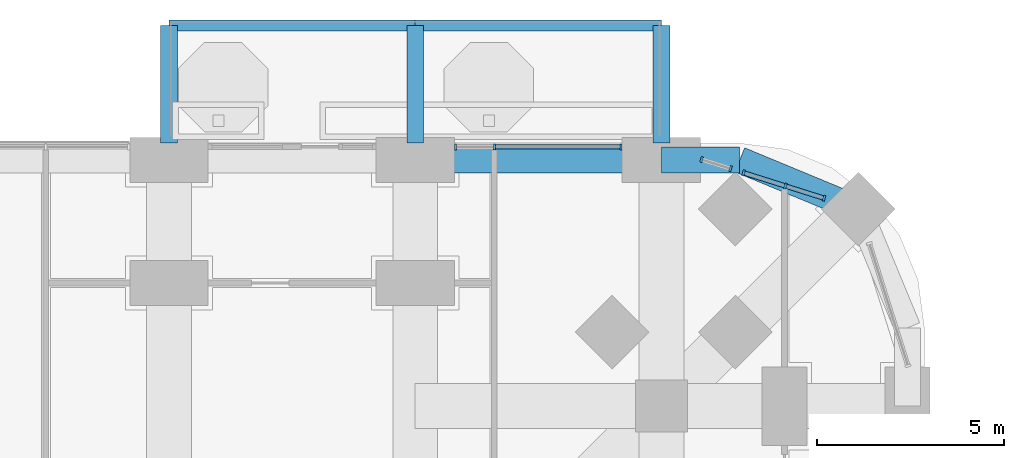
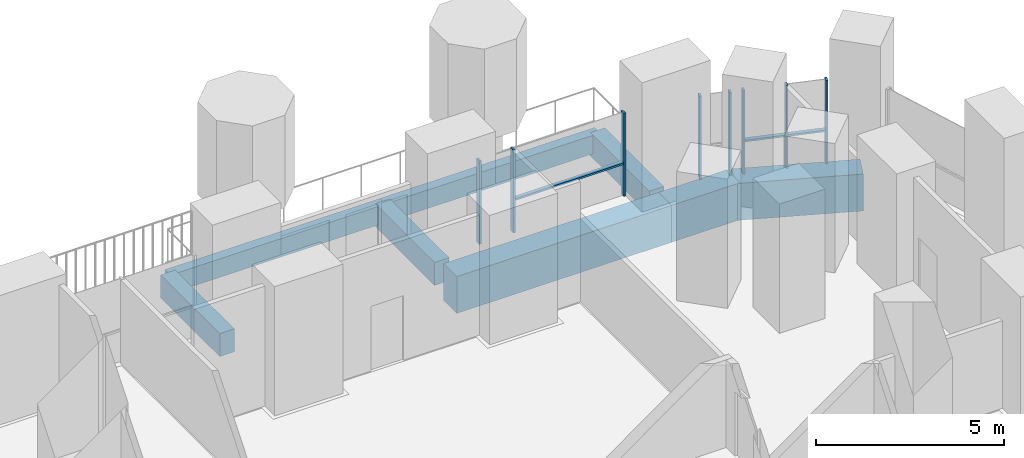
# One storey, part 10 of 27: 11 members, 8 beams, 3 elements without a shape of their own.
"""IFC4 building model written with IfcOpenShell, lengths in metres."""

from ifc_helpers import new_model, si_unit, direction, frame, origin, origin_2d, place, context, subcontext, project, spatial, rectangle, extrude, material, material_profile, profile_set, type_object, element, aggregate, save


model = new_model("IFC4")

# Units and contexts
model_context = context("Model", 3, precision=1e-05, world=origin(), true_north=direction((0.0, 1.0)))
body_context = subcontext(model_context, "Body", "Model", "MODEL_VIEW")
ifc_project = project(units=[si_unit("LENGTHUNIT", "METRE"), si_unit("AREAUNIT", "SQUARE_METRE"), si_unit("VOLUMEUNIT", "CUBIC_METRE"), si_unit("PLANEANGLEUNIT", "RADIAN"), si_unit("MASSUNIT", "GRAM", prefix="KILO")], contexts=[model_context])

# Site, building, storey
site_placement = place(None, origin())
site = spatial("IfcSite", under=ifc_project, at=site_placement, CompositionType="ELEMENT")
building_placement = place(site_placement, origin())
building = spatial("IfcBuilding", under=site, at=building_placement, Name="Cobogo Forest Laboratory Tower", CompositionType="ELEMENT")
storey_placement = place(building_placement, frame((0.0, 0.0, 29.699951171875)))
storey = spatial("IfcBuildingStorey", under=building, at=storey_placement, Name="L06", CompositionType="ELEMENT", Elevation=29.699951171875)

# Beams
ifc_material_1 = material(Name="Concrete HA-40 (C40/50)", Category="concrete")
ifc_material_profile_1 = material_profile(ifc_material_1, rectangle(XDim=0.449951171875, YDim=0.75, at=origin_2d()), Name="RC 450x750")
ifc_profile_set_1 = profile_set([ifc_material_profile_1], Name="Concrete HA-40 (C40/50)")
beam_type_1 = type_object("IfcBeamType", Name="Balcony cantilever beam 450x750", PredefinedType="BEAM", material=ifc_profile_set_1)
for number, where, z_axis, x_axis, name in (
    (1, (33.0, 46.64990234375, -0.625), (0.0, 1.0, 0.0), (-1.0, 0.0, 0.0), "CB1 BAL-N2-C1 L06"),
    (2, (39.60009765625, 46.64990234375, -0.625), (0.0, 1.0, 0.0), (-1.0, 0.0, 0.0), "CB1 BAL-N2-C2 L06"),
    (3, (46.199951171875, 46.64990234375, -0.625), (0.0, 1.0, 0.0), (-1.0, 0.0, 0.0), "CB1 BAL-N2-C3 L06"),
):
    element("IfcBeam", number, at=place(storey_placement, frame(where, z_axis=z_axis, x_axis=x_axis)), inside=storey, type_object=beam_type_1, Name=name, PredefinedType="BEAM", context=body_context, shape_type="SweptSolid", body=[
        extrude(rectangle(XDim=0.449951171875, YDim=0.75, at=origin_2d()), origin(), (0.0, 0.0, 1.0), 3.150146484375),
    ])
ifc_material_profile_2 = material_profile(ifc_material_1, rectangle(XDim=0.300048828125, YDim=0.60009765625, at=origin_2d()), Name="RC 300x600")
ifc_profile_set_2 = profile_set([ifc_material_profile_2], Name="Concrete HA-40 (C40/50)")
beam_type_2 = type_object("IfcBeamType", Name="Balcony edge beam 300x600", PredefinedType="BEAM", material=ifc_profile_set_2)
beam_1_placement = place(storey_placement, frame((33.0, 49.800048828125, -0.550048828125), z_axis=(1.0, 0.0, 0.0), x_axis=(0.0, 1.0, 0.0)))
element("IfcBeam", 4, at=beam_1_placement, inside=storey, type_object=beam_type_2, Name="BB1 BAL-N2-T1 L06", PredefinedType="BEAM", context=body_context, shape_type="SweptSolid", body=[
    extrude(rectangle(XDim=0.300048828125, YDim=0.60009765625, at=origin_2d()), origin(), (0.0, 0.0, 1.0), 6.60009765625),
])
beam_2_placement = place(storey_placement, frame((39.60009765625, 49.800048828125, -0.550048828125), z_axis=(1.0, 0.0, 0.0), x_axis=(0.0, 1.0, 0.0)))
element("IfcBeam", 5, at=beam_2_placement, inside=storey, type_object=beam_type_2, Name="BB1 BAL-N2-T2 L06", PredefinedType="BEAM", context=body_context, shape_type="SweptSolid", body=[
    extrude(rectangle(XDim=0.300048828125, YDim=0.60009765625, at=origin_2d()), origin(), (0.0, 0.0, 1.0), 6.599853515625),
])

# Curtain wall, members
ifc_material_2 = material(Name="Aluminium curtain wall", Category="aluminium")
curtain_wall_type = type_object("IfcCurtainWallType", Name="CW-1 unitised curtain wall, clear glazing, laboratory floors zones A and B", PredefinedType="USERDEFINED", material=ifc_material_2)
curtain_wall_1_placement = place(storey_placement, origin())
curtain_wall_1 = element("IfcCurtainWall", 6, at=curtain_wall_1_placement, inside=storey, type_object=curtain_wall_type, Name="Curtain wall 16 L06", ObjectType="UNITISED CURTAIN WALL", PredefinedType="USERDEFINED")
ifc_material_3 = material(Name="Aluminium mullion", Category="aluminium")
ifc_material_profile_3 = material_profile(ifc_material_3, rectangle(XDim=0.06005859375, YDim=0.159912109375, at=origin_2d()), Name="AL 60x160")
ifc_profile_set_3 = profile_set([ifc_material_profile_3], Name="Aluminium mullion")
member_type_1 = type_object("IfcMemberType", Name="MU-1 aluminium mullion 60x160", PredefinedType="MULLION", material=ifc_profile_set_3)
member_1_placement = place(storey_placement, frame((50.561279296875, 45.1728515625, 0.0), z_axis=(0.0, 0.0, 1.0), x_axis=(-0.953581409645, 0.301135343623, 0.0)))
member_1 = element("IfcMember", 7, at=member_1_placement, type_object=member_type_1, Name="CW-1 mullion 1", PredefinedType="MULLION", context=body_context, shape_type="SweptSolid", body=[
    extrude(rectangle(XDim=0.06005859375, YDim=0.159912109375, at=origin_2d()), origin(), (0.0, 0.0, 1.0), 2.699951171875),
])
member_2_placement = place(storey_placement, frame((49.524169921875, 45.500244140625, 0.0), z_axis=(0.0, 0.0, 1.0), x_axis=(-0.953581409645, 0.301135343623, 0.0)))
member_2 = element("IfcMember", 8, at=member_2_placement, type_object=member_type_1, Name="CW-1 mullion 2", PredefinedType="MULLION", context=body_context, shape_type="SweptSolid", body=[
    extrude(rectangle(XDim=0.06005859375, YDim=0.159912109375, at=origin_2d()), origin(), (0.0, 0.0, 1.0), 2.699951171875),
])
member_3_placement = place(storey_placement, frame((48.403076171875, 45.854248046875, 0.0), z_axis=(0.0, 0.0, 1.0), x_axis=(-0.953581409645, 0.301135343623, 0.0)))
member_3 = element("IfcMember", 9, at=member_3_placement, type_object=member_type_1, Name="CW-1 mullion 3", PredefinedType="MULLION", context=body_context, shape_type="SweptSolid", body=[
    extrude(rectangle(XDim=0.06005859375, YDim=0.159912109375, at=origin_2d()), origin(), (0.0, 0.0, 1.0), 2.699951171875),
])

curtain_wall_2_placement = place(storey_placement, origin())
curtain_wall_2 = element("IfcCurtainWall", 10, at=curtain_wall_2_placement, inside=storey, type_object=curtain_wall_type, Name="Curtain wall 17 L06", ObjectType="UNITISED CURTAIN WALL", PredefinedType="USERDEFINED")
member_4_placement = place(storey_placement, frame((48.05322265625, 45.96484375, 0.0), z_axis=(0.0, 0.0, 1.0), x_axis=(-0.953581504428, 0.301135043481, 0.0)))
member_4 = element("IfcMember", 11, at=member_4_placement, type_object=member_type_1, Name="CW-1 mullion 1", PredefinedType="MULLION", context=body_context, shape_type="SweptSolid", body=[
    extrude(rectangle(XDim=0.06005859375, YDim=0.159912109375, at=origin_2d()), origin(), (0.0, 0.0, 1.0), 2.699951171875),
])
member_5_placement = place(storey_placement, frame((47.278564453125, 46.20947265625, 0.0), z_axis=(0.0, 0.0, 1.0), x_axis=(-0.953581504428, 0.301135043481, 0.0)))
member_5 = element("IfcMember", 12, at=member_5_placement, type_object=member_type_1, Name="CW-1 mullion 2", PredefinedType="MULLION", context=body_context, shape_type="SweptSolid", body=[
    extrude(rectangle(XDim=0.06005859375, YDim=0.159912109375, at=origin_2d()), origin(), (0.0, 0.0, 1.0), 2.699951171875),
])
aggregate(curtain_wall_2, [member_4, member_5])

curtain_wall_3_placement = place(storey_placement, origin())
curtain_wall_3 = element("IfcCurtainWall", 13, at=curtain_wall_3_placement, inside=storey, type_object=curtain_wall_type, Name="Curtain wall 18 L06", ObjectType="UNITISED CURTAIN WALL", PredefinedType="USERDEFINED")
member_6_placement = place(storey_placement, frame((45.1201171875, 46.550048828125, 0.0), z_axis=(0.0, 0.0, 1.0), x_axis=(-1.0, 0.0, 0.0)))
member_6 = element("IfcMember", 14, at=member_6_placement, type_object=member_type_1, Name="CW-1 mullion 1", PredefinedType="MULLION", context=body_context, shape_type="SweptSolid", body=[
    extrude(rectangle(XDim=0.06005859375, YDim=0.159912109375, at=origin_2d()), origin(), (0.0, 0.0, 1.0), 2.699951171875),
])
member_7_placement = place(storey_placement, frame((41.72509765625, 46.550048828125, 0.0), z_axis=(0.0, 0.0, 1.0), x_axis=(-1.0, 0.0, 0.0)))
member_7 = element("IfcMember", 15, at=member_7_placement, type_object=member_type_1, Name="CW-1 mullion 2", PredefinedType="MULLION", context=body_context, shape_type="SweptSolid", body=[
    extrude(rectangle(XDim=0.06005859375, YDim=0.159912109375, at=origin_2d()), origin(), (0.0, 0.0, 1.0), 2.699951171875),
])
member_8_placement = place(storey_placement, frame((40.679931640625, 46.550048828125, 0.0), z_axis=(0.0, 0.0, 1.0), x_axis=(-1.0, 0.0, 0.0)))
member_8 = element("IfcMember", 16, at=member_8_placement, type_object=member_type_1, Name="CW-1 mullion 3", PredefinedType="MULLION", context=body_context, shape_type="SweptSolid", body=[
    extrude(rectangle(XDim=0.06005859375, YDim=0.159912109375, at=origin_2d()), origin(), (0.0, 0.0, 1.0), 2.699951171875),
])

# Beams
ifc_material_profile_4 = material_profile(ifc_material_1, rectangle(XDim=0.699951171875, YDim=1.199951171875, at=origin_2d()), Name="RC 700x1200")
ifc_profile_set_4 = profile_set([ifc_material_profile_4], Name="Concrete HA-40 (C40/50)")
beam_type_3 = type_object("IfcBeamType", Name="Perimeter edge beam 700x1200", PredefinedType="BEAM", material=ifc_profile_set_4)
beam_3_placement = place(storey_placement, frame((39.60009765625, 46.199951171875, -0.89990234375), z_axis=(1.0, 0.0, 0.0), x_axis=(0.0, 1.0, 0.0)))
element("IfcBeam", 17, at=beam_3_placement, inside=storey, type_object=beam_type_3, Name="EB1 E-N6 L06", PredefinedType="BEAM", context=body_context, shape_type="SweptSolid", body=[
    extrude(rectangle(XDim=0.699951171875, YDim=1.199951171875, at=origin_2d()), origin(), (0.0, 0.0, 1.0), 6.599853515625),
])
beam_4_placement = place(storey_placement, frame((46.199951171875, 46.199951171875, -0.89990234375), z_axis=(1.0, 0.0, 0.0), x_axis=(0.0, 1.0, 0.0)))
element("IfcBeam", 18, at=beam_4_placement, inside=storey, type_object=beam_type_3, Name="EB1 E-NEN1 L06", PredefinedType="BEAM", context=body_context, shape_type="SweptSolid", body=[
    extrude(rectangle(XDim=0.699951171875, YDim=1.199951171875, at=origin_2d()), origin(), (0.0, 0.0, 1.0), 2.10009765625),
])
beam_5_placement = place(storey_placement, frame((48.300048828125, 46.199951171875, -0.89990234375), z_axis=(0.923890694089, -0.382656484822, 0.0), x_axis=(0.382656484822, 0.923890694089, 0.0)))
element("IfcBeam", 19, at=beam_5_placement, inside=storey, type_object=beam_type_3, Name="EB1 E-NEN2 L06", PredefinedType="BEAM", context=body_context, shape_type="SweptSolid", body=[
    extrude(rectangle(XDim=0.699951171875, YDim=1.199951171875, at=origin_2d()), origin(), (0.0, 0.0, 1.0), 3.444091796875),
])

# Member
ifc_material_4 = material(Name="Aluminium transom", Category="aluminium")
ifc_material_profile_5 = material_profile(ifc_material_4, rectangle(XDim=0.1201171875, YDim=0.06005859375, at=origin_2d()), Name="AL 60x120")
ifc_profile_set_5 = profile_set([ifc_material_profile_5], Name="Aluminium transom")
member_type_2 = type_object("IfcMemberType", Name="TR-1 aluminium transom 60x120", PredefinedType="USERDEFINED", material=ifc_profile_set_5)
member_9_placement = place(storey_placement, frame((50.53271484375, 45.181884765625, 1.050048828125), z_axis=(-0.953622152866, 0.301006294888, 0.0), x_axis=(-0.301006294888, -0.953622152866, 0.0)))
member_9 = element("IfcMember", 20, at=member_9_placement, type_object=member_type_2, Name="CW-1 transom 1.1", ObjectType="TRANSOM", PredefinedType="USERDEFINED", context=body_context, shape_type="SweptSolid", body=[
    extrude(rectangle(XDim=0.1201171875, YDim=0.06005859375, at=origin_2d()), origin(), (0.0, 0.0, 1.0), 1.027587890625),
])

member_10_placement = place(storey_placement, frame((49.495361328125, 45.50927734375, 1.050048828125), z_axis=(-0.953576049467, 0.301152316747, 0.0), x_axis=(-0.301152316747, -0.953576049467, 0.0)))
member_10 = element("IfcMember", 21, at=member_10_placement, type_object=member_type_2, Name="CW-1 transom 2.1", ObjectType="TRANSOM", PredefinedType="USERDEFINED", context=body_context, shape_type="SweptSolid", body=[
    extrude(rectangle(XDim=0.1201171875, YDim=0.06005859375, at=origin_2d()), origin(), (0.0, 0.0, 1.0), 1.115478515625),
])

aggregate(curtain_wall_1, [member_1, member_2, member_3, member_9, member_10])

member_11_placement = place(storey_placement, frame((45.090087890625, 46.550048828125, 1.050048828125), z_axis=(-1.0, 0.0, 0.0), x_axis=(0.0, -1.0, 0.0)))
member_11 = element("IfcMember", 22, at=member_11_placement, type_object=member_type_2, Name="CW-1 transom 1.1", ObjectType="TRANSOM", PredefinedType="USERDEFINED", context=body_context, shape_type="SweptSolid", body=[
    extrude(rectangle(XDim=0.1201171875, YDim=0.06005859375, at=origin_2d()), origin(), (0.0, 0.0, 1.0), 3.335205078125),
])

aggregate(curtain_wall_3, [member_6, member_7, member_8, member_11])

save(model, "model.ifc")
